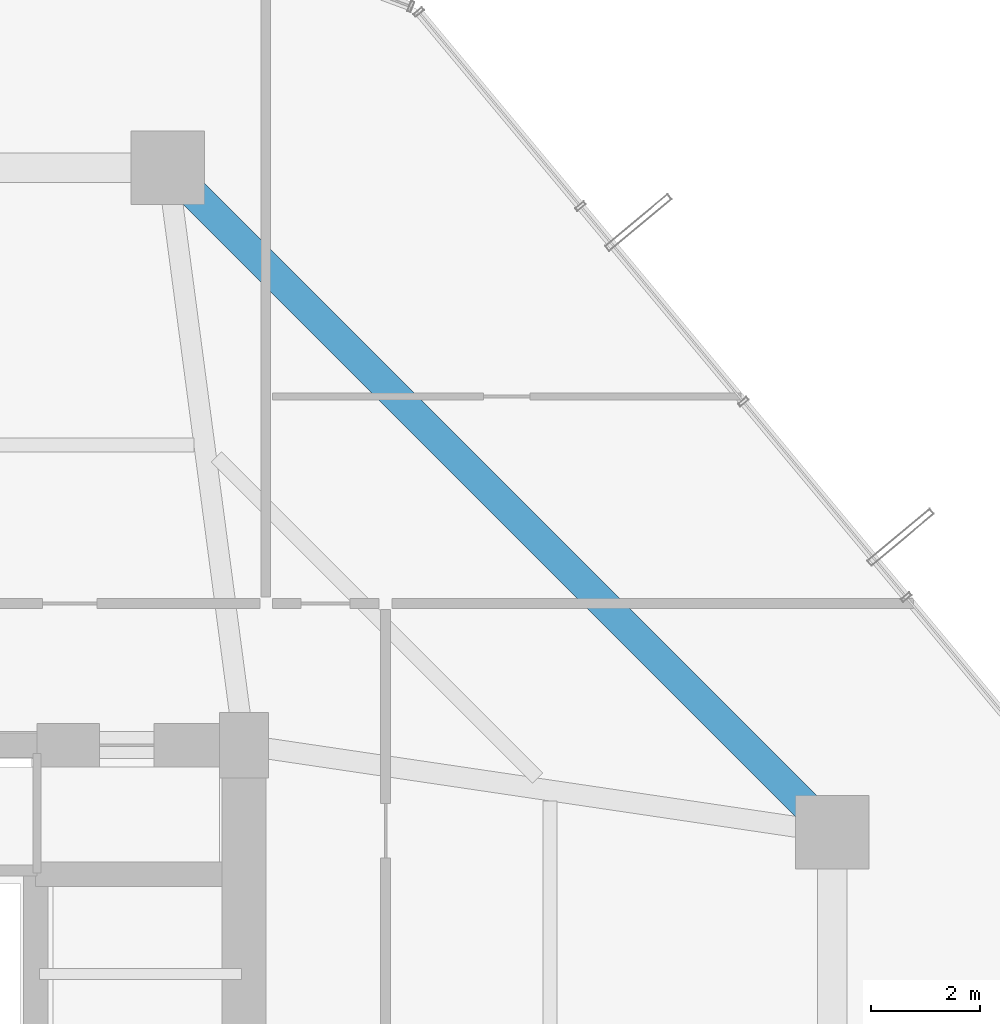
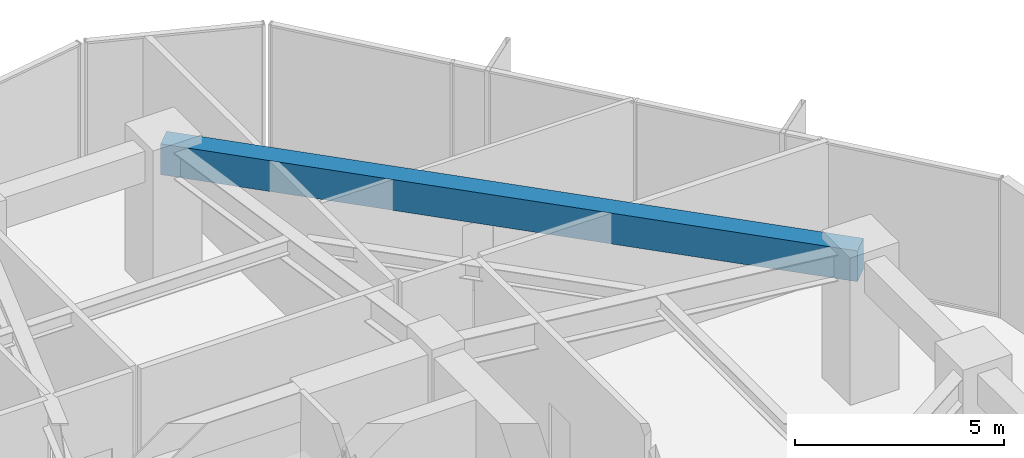
# One storey, part 26 of 35: 1 beam.
"""IFC4 building model written with IfcOpenShell, lengths in metres."""

from ifc_helpers import new_model, si_unit, direction, frame, origin, origin_2d, place, context, subcontext, project, spatial, rectangle, extrude, material, material_profile, profile_set, type_object, element, save


model = new_model("IFC4")

# Units and contexts
model_context = context("Model", 3, precision=1e-05, world=origin(), true_north=direction((0.0, 1.0)))
body_context = subcontext(model_context, "Body", "Model", "MODEL_VIEW")
ifc_project = project(units=[si_unit("LENGTHUNIT", "METRE"), si_unit("AREAUNIT", "SQUARE_METRE"), si_unit("VOLUMEUNIT", "CUBIC_METRE"), si_unit("PLANEANGLEUNIT", "RADIAN"), si_unit("MASSUNIT", "GRAM", prefix="KILO")], contexts=[model_context])

# Site, building, storey
site_placement = place(None, origin())
site = spatial("IfcSite", under=ifc_project, at=site_placement, CompositionType="ELEMENT")
building_placement = place(site_placement, origin())
building = spatial("IfcBuilding", under=site, at=building_placement, Name="Veraguas Prism Commons", CompositionType="ELEMENT")
storey_placement = place(building_placement, frame((0.0, 0.0, 56.550048828125)))
storey = spatial("IfcBuildingStorey", under=building, at=storey_placement, Name="L15", CompositionType="ELEMENT", Elevation=56.550048828125)

# Beam
ifc_material = material(Name="Concrete C50/60", Category="concrete")
ifc_material_profile = material_profile(ifc_material, rectangle(XDim=0.550048828125, YDim=0.89990234375, at=origin_2d()), Name="RC550X900")
ifc_profile_set = profile_set([ifc_material_profile], Name="Concrete C50/60")
beam_type = type_object("IfcBeamType", Name="Perimeter Spandrel Lower RC 550x900", PredefinedType="SPANDREL", material=ifc_profile_set)
beam_placement = place(storey_placement, frame((41.60009765625, 29.39990234375, 3.599853515625), z_axis=(-0.707106781187, 0.707106781187, 0.0), x_axis=(-0.707106781187, -0.707106781187, 0.0)))
element("IfcBeam", 1, at=beam_placement, inside=storey, type_object=beam_type, Name="Perimeter Spandrel Beam L15-SP03", PredefinedType="SPANDREL", context=body_context, shape_type="SweptSolid", body=[
    extrude(rectangle(XDim=0.550048828125, YDim=0.89990234375, at=origin_2d()), origin(), (0.0, 0.0, 1.0), 17.253662109375),
])

save(model, "model.ifc")
